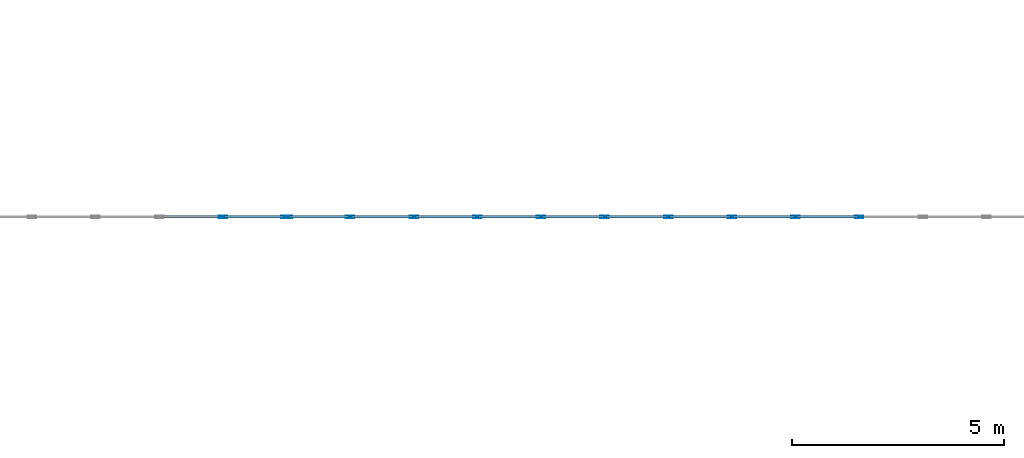
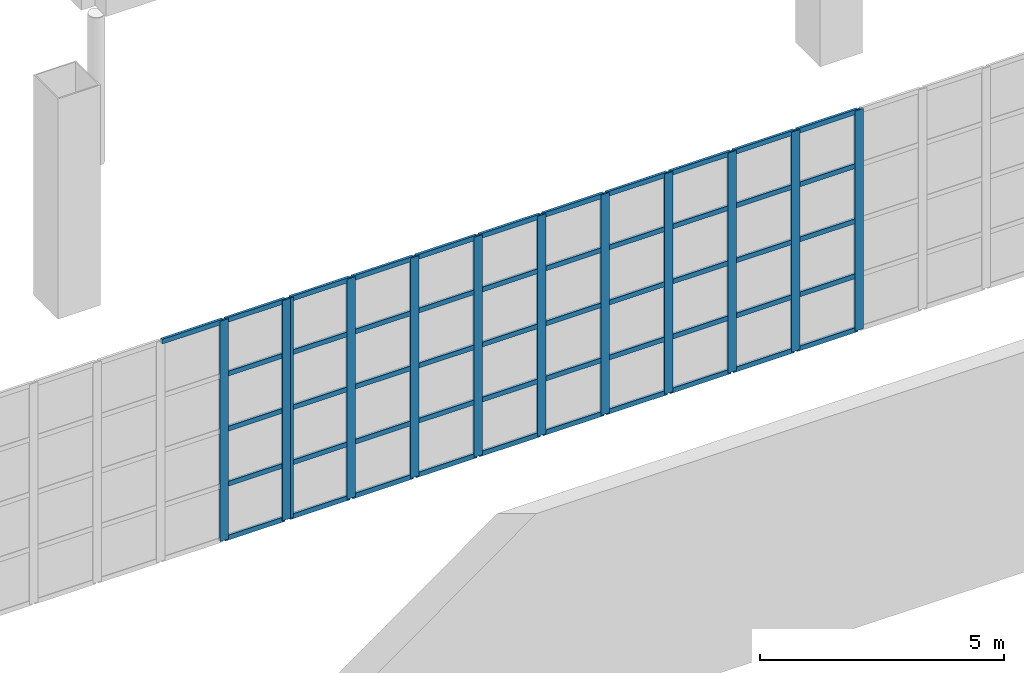
# One storey, part 43 of 185: 63 members, 2 elements without a shape of their own.
"""IFC4 building model written with IfcOpenShell, lengths in metres."""

from ifc_helpers import new_model, si_unit, direction, frame, origin, origin_2d, place, context, subcontext, project, spatial, hollow_rectangle, extrude, material, layer, layer_set, material_profile, profile_set, type_object, element, aggregate, save


model = new_model("IFC4")

# Units and contexts
model_context = context("Model", 3, precision=1e-05, world=origin(), true_north=direction((0.0, 1.0)))
body_context = subcontext(model_context, "Body", "Model", "MODEL_VIEW")
ifc_project = project(units=[si_unit("LENGTHUNIT", "METRE"), si_unit("AREAUNIT", "SQUARE_METRE"), si_unit("VOLUMEUNIT", "CUBIC_METRE"), si_unit("PLANEANGLEUNIT", "RADIAN"), si_unit("MASSUNIT", "GRAM", prefix="KILO")], contexts=[model_context])

# Site, building, storey
site_placement = place(None, origin())
site = spatial("IfcSite", under=ifc_project, at=site_placement, CompositionType="ELEMENT")
building_placement = place(site_placement, origin())
building = spatial("IfcBuilding", under=site, at=building_placement, Name="Opaline Strait Convention Centre", CompositionType="ELEMENT")
storey_placement = place(building_placement, frame((0.0, 0.0, 6.0)))
storey = spatial("IfcBuildingStorey", under=building, at=storey_placement, Name="L01", CompositionType="ELEMENT", Elevation=6.0)

# Curtain wall, members
ifc_material_1 = material(Name="Aluminium framed glazing", Category="aluminium")
ifc_layer = layer(ifc_material_1, 0.199951171875)
ifc_layer_set = layer_set([ifc_layer], Name="Aluminium framed glazing")
curtain_wall_type = type_object("IfcCurtainWallType", Name="Entrance curtain wall 1500", PredefinedType="NOTDEFINED", material=ifc_layer_set)
curtain_wall_1_placement = place(storey_placement, origin())
curtain_wall_1 = element("IfcCurtainWall", 1, at=curtain_wall_1_placement, inside=storey, type_object=curtain_wall_type, Name="Entrance curtain wall L01-R1", PredefinedType="NOTDEFINED")
ifc_material_2 = material(Name="Aluminium alloy 6063", Category="aluminium")
ifc_material_profile_1 = material_profile(ifc_material_2, hollow_rectangle(XDim=0.06005859375, YDim=0.199951171875, WallThickness=0.00390625, at=origin_2d()), Name="MULLION 60x200x4")
ifc_profile_set_1 = profile_set([ifc_material_profile_1], Name="Aluminium alloy 6063")
member_type_1 = type_object("IfcMemberType", Name="Curtain wall mullion 60 x 200", PredefinedType="MULLION", material=ifc_profile_set_1)
member_1_placement = place(storey_placement, frame((169.5, 144.0, 0.0), z_axis=(0.0, 0.0, 1.0), x_axis=(0.0, 1.0, 0.0)))
member_1 = element("IfcMember", 2, at=member_1_placement, type_object=member_type_1, Name="XCW mullion 12", PredefinedType="MULLION", context=body_context, shape_type="SweptSolid", body=[
    extrude(hollow_rectangle(XDim=0.06005859375, YDim=0.199951171875, WallThickness=0.00390625, at=origin_2d()), origin(), (0.0, 0.0, 1.0), 5.5),
])
member_2_placement = place(storey_placement, frame((170.969970703125, 144.0, 0.0), z_axis=(0.0, 0.0, 1.0), x_axis=(0.0, 1.0, 0.0)))
member_2 = element("IfcMember", 3, at=member_2_placement, type_object=member_type_1, Name="XCW mullion 13", PredefinedType="MULLION", context=body_context, shape_type="SweptSolid", body=[
    extrude(hollow_rectangle(XDim=0.06005859375, YDim=0.199951171875, WallThickness=0.00390625, at=origin_2d()), origin(), (0.0, 0.0, 1.0), 5.5),
])

curtain_wall_2_placement = place(storey_placement, origin())
curtain_wall_2 = element("IfcCurtainWall", 4, at=curtain_wall_2_placement, inside=storey, type_object=curtain_wall_type, Name="Entrance curtain wall L01-R2", PredefinedType="NOTDEFINED")
member_3_placement = place(storey_placement, frame((171.030029296875, 144.0, 0.0), z_axis=(0.0, 0.0, 1.0), x_axis=(0.0, 1.0, 0.0)))
member_3 = element("IfcMember", 5, at=member_3_placement, type_object=member_type_1, Name="XCW mullion 1", PredefinedType="MULLION", context=body_context, shape_type="SweptSolid", body=[
    extrude(hollow_rectangle(XDim=0.06005859375, YDim=0.199951171875, WallThickness=0.00390625, at=origin_2d()), origin(), (0.0, 0.0, 1.0), 5.5),
])
member_4_placement = place(storey_placement, frame((172.5, 144.0, 0.0), z_axis=(0.0, 0.0, 1.0), x_axis=(0.0, 1.0, 0.0)))
member_4 = element("IfcMember", 6, at=member_4_placement, type_object=member_type_1, Name="XCW mullion 2", PredefinedType="MULLION", context=body_context, shape_type="SweptSolid", body=[
    extrude(hollow_rectangle(XDim=0.06005859375, YDim=0.199951171875, WallThickness=0.00390625, at=origin_2d()), origin(), (0.0, 0.0, 1.0), 5.5),
])
member_5_placement = place(storey_placement, frame((174.0, 144.0, 0.0), z_axis=(0.0, 0.0, 1.0), x_axis=(0.0, 1.0, 0.0)))
member_5 = element("IfcMember", 7, at=member_5_placement, type_object=member_type_1, Name="XCW mullion 3", PredefinedType="MULLION", context=body_context, shape_type="SweptSolid", body=[
    extrude(hollow_rectangle(XDim=0.06005859375, YDim=0.199951171875, WallThickness=0.00390625, at=origin_2d()), origin(), (0.0, 0.0, 1.0), 5.5),
])
member_6_placement = place(storey_placement, frame((175.5, 144.0, 0.0), z_axis=(0.0, 0.0, 1.0), x_axis=(0.0, 1.0, 0.0)))
member_6 = element("IfcMember", 8, at=member_6_placement, type_object=member_type_1, Name="XCW mullion 4", PredefinedType="MULLION", context=body_context, shape_type="SweptSolid", body=[
    extrude(hollow_rectangle(XDim=0.06005859375, YDim=0.199951171875, WallThickness=0.00390625, at=origin_2d()), origin(), (0.0, 0.0, 1.0), 5.5),
])
member_7_placement = place(storey_placement, frame((177.0, 144.0, 0.0), z_axis=(0.0, 0.0, 1.0), x_axis=(0.0, 1.0, 0.0)))
member_7 = element("IfcMember", 9, at=member_7_placement, type_object=member_type_1, Name="XCW mullion 5", PredefinedType="MULLION", context=body_context, shape_type="SweptSolid", body=[
    extrude(hollow_rectangle(XDim=0.06005859375, YDim=0.199951171875, WallThickness=0.00390625, at=origin_2d()), origin(), (0.0, 0.0, 1.0), 5.5),
])
member_8_placement = place(storey_placement, frame((178.5, 144.0, 0.0), z_axis=(0.0, 0.0, 1.0), x_axis=(0.0, 1.0, 0.0)))
member_8 = element("IfcMember", 10, at=member_8_placement, type_object=member_type_1, Name="XCW mullion 6", PredefinedType="MULLION", context=body_context, shape_type="SweptSolid", body=[
    extrude(hollow_rectangle(XDim=0.06005859375, YDim=0.199951171875, WallThickness=0.00390625, at=origin_2d()), origin(), (0.0, 0.0, 1.0), 5.5),
])
member_9_placement = place(storey_placement, frame((180.0, 144.0, 0.0), z_axis=(0.0, 0.0, 1.0), x_axis=(0.0, 1.0, 0.0)))
member_9 = element("IfcMember", 11, at=member_9_placement, type_object=member_type_1, Name="XCW mullion 7", PredefinedType="MULLION", context=body_context, shape_type="SweptSolid", body=[
    extrude(hollow_rectangle(XDim=0.06005859375, YDim=0.199951171875, WallThickness=0.00390625, at=origin_2d()), origin(), (0.0, 0.0, 1.0), 5.5),
])
member_10_placement = place(storey_placement, frame((181.5, 144.0, 0.0), z_axis=(0.0, 0.0, 1.0), x_axis=(0.0, 1.0, 0.0)))
member_10 = element("IfcMember", 12, at=member_10_placement, type_object=member_type_1, Name="XCW mullion 8", PredefinedType="MULLION", context=body_context, shape_type="SweptSolid", body=[
    extrude(hollow_rectangle(XDim=0.06005859375, YDim=0.199951171875, WallThickness=0.00390625, at=origin_2d()), origin(), (0.0, 0.0, 1.0), 5.5),
])
member_11_placement = place(storey_placement, frame((183.0, 144.0, 0.0), z_axis=(0.0, 0.0, 1.0), x_axis=(0.0, 1.0, 0.0)))
member_11 = element("IfcMember", 13, at=member_11_placement, type_object=member_type_1, Name="XCW mullion 9", PredefinedType="MULLION", context=body_context, shape_type="SweptSolid", body=[
    extrude(hollow_rectangle(XDim=0.06005859375, YDim=0.199951171875, WallThickness=0.00390625, at=origin_2d()), origin(), (0.0, 0.0, 1.0), 5.5),
])
member_12_placement = place(storey_placement, frame((184.5, 144.0, 0.0), z_axis=(0.0, 0.0, 1.0), x_axis=(0.0, 1.0, 0.0)))
member_12 = element("IfcMember", 14, at=member_12_placement, type_object=member_type_1, Name="XCW mullion 10", PredefinedType="MULLION", context=body_context, shape_type="SweptSolid", body=[
    extrude(hollow_rectangle(XDim=0.06005859375, YDim=0.199951171875, WallThickness=0.00390625, at=origin_2d()), origin(), (0.0, 0.0, 1.0), 5.5),
])

# Member
ifc_material_profile_2 = material_profile(ifc_material_2, hollow_rectangle(XDim=0.06005859375, YDim=0.1201171875, WallThickness=0.0029296875, at=origin_2d()), Name="TRANSOM 60x120x3")
ifc_profile_set_2 = profile_set([ifc_material_profile_2], Name="Aluminium alloy 6063")
member_type_2 = type_object("IfcMemberType", Name="Curtain wall transom 60 x 120", PredefinedType="USERDEFINED", material=ifc_profile_set_2)
member_13_placement = place(storey_placement, frame((168.030029296875, 144.0, 5.469970703125), z_axis=(1.0, 0.0, 0.0), x_axis=(0.0, 1.0, 0.0)))
member_13 = element("IfcMember", 15, at=member_13_placement, type_object=member_type_2, Name="XCW transom 11.5", ObjectType="TRANSOM", PredefinedType="USERDEFINED", context=body_context, shape_type="SweptSolid", body=[
    extrude(hollow_rectangle(XDim=0.06005859375, YDim=0.1201171875, WallThickness=0.0029296875, at=origin_2d()), origin(), (0.0, 0.0, 1.0), 1.43994140625),
])

member_14_placement = place(storey_placement, frame((169.530029296875, 144.0, 0.030029296875), z_axis=(1.0, 0.0, 0.0), x_axis=(0.0, 1.0, 0.0)))
member_14 = element("IfcMember", 16, at=member_14_placement, type_object=member_type_2, Name="XCW transom 12.1", ObjectType="TRANSOM", PredefinedType="USERDEFINED", context=body_context, shape_type="SweptSolid", body=[
    extrude(hollow_rectangle(XDim=0.06005859375, YDim=0.1201171875, WallThickness=0.0029296875, at=origin_2d()), origin(), (0.0, 0.0, 1.0), 1.409912109375),
])

member_15_placement = place(storey_placement, frame((169.530029296875, 144.0, 1.375), z_axis=(1.0, 0.0, 0.0), x_axis=(0.0, 1.0, 0.0)))
member_15 = element("IfcMember", 17, at=member_15_placement, type_object=member_type_2, Name="XCW transom 12.2", ObjectType="TRANSOM", PredefinedType="USERDEFINED", context=body_context, shape_type="SweptSolid", body=[
    extrude(hollow_rectangle(XDim=0.06005859375, YDim=0.1201171875, WallThickness=0.0029296875, at=origin_2d()), origin(), (0.0, 0.0, 1.0), 1.409912109375),
])

member_16_placement = place(storey_placement, frame((169.530029296875, 144.0, 2.75), z_axis=(1.0, 0.0, 0.0), x_axis=(0.0, 1.0, 0.0)))
member_16 = element("IfcMember", 18, at=member_16_placement, type_object=member_type_2, Name="XCW transom 12.3", ObjectType="TRANSOM", PredefinedType="USERDEFINED", context=body_context, shape_type="SweptSolid", body=[
    extrude(hollow_rectangle(XDim=0.06005859375, YDim=0.1201171875, WallThickness=0.0029296875, at=origin_2d()), origin(), (0.0, 0.0, 1.0), 1.409912109375),
])

member_17_placement = place(storey_placement, frame((169.530029296875, 144.0, 4.125), z_axis=(1.0, 0.0, 0.0), x_axis=(0.0, 1.0, 0.0)))
member_17 = element("IfcMember", 19, at=member_17_placement, type_object=member_type_2, Name="XCW transom 12.4", ObjectType="TRANSOM", PredefinedType="USERDEFINED", context=body_context, shape_type="SweptSolid", body=[
    extrude(hollow_rectangle(XDim=0.06005859375, YDim=0.1201171875, WallThickness=0.0029296875, at=origin_2d()), origin(), (0.0, 0.0, 1.0), 1.409912109375),
])

member_18_placement = place(storey_placement, frame((169.530029296875, 144.0, 5.469970703125), z_axis=(1.0, 0.0, 0.0), x_axis=(0.0, 1.0, 0.0)))
member_18 = element("IfcMember", 20, at=member_18_placement, type_object=member_type_2, Name="XCW transom 12.5", ObjectType="TRANSOM", PredefinedType="USERDEFINED", context=body_context, shape_type="SweptSolid", body=[
    extrude(hollow_rectangle(XDim=0.06005859375, YDim=0.1201171875, WallThickness=0.0029296875, at=origin_2d()), origin(), (0.0, 0.0, 1.0), 1.409912109375),
])

aggregate(curtain_wall_1, [member_1, member_2, member_13, member_14, member_15, member_16, member_17, member_18])

member_19_placement = place(storey_placement, frame((171.06005859375, 144.0, 0.030029296875), z_axis=(1.0, 0.0, 0.0), x_axis=(0.0, 1.0, 0.0)))
member_19 = element("IfcMember", 21, at=member_19_placement, type_object=member_type_2, Name="XCW transom 1.1", ObjectType="TRANSOM", PredefinedType="USERDEFINED", context=body_context, shape_type="SweptSolid", body=[
    extrude(hollow_rectangle(XDim=0.06005859375, YDim=0.1201171875, WallThickness=0.0029296875, at=origin_2d()), origin(), (0.0, 0.0, 1.0), 1.409912109375),
])

member_20_placement = place(storey_placement, frame((171.06005859375, 144.0, 1.375), z_axis=(1.0, 0.0, 0.0), x_axis=(0.0, 1.0, 0.0)))
member_20 = element("IfcMember", 22, at=member_20_placement, type_object=member_type_2, Name="XCW transom 1.2", ObjectType="TRANSOM", PredefinedType="USERDEFINED", context=body_context, shape_type="SweptSolid", body=[
    extrude(hollow_rectangle(XDim=0.06005859375, YDim=0.1201171875, WallThickness=0.0029296875, at=origin_2d()), origin(), (0.0, 0.0, 1.0), 1.409912109375),
])

member_21_placement = place(storey_placement, frame((171.06005859375, 144.0, 2.75), z_axis=(1.0, 0.0, 0.0), x_axis=(0.0, 1.0, 0.0)))
member_21 = element("IfcMember", 23, at=member_21_placement, type_object=member_type_2, Name="XCW transom 1.3", ObjectType="TRANSOM", PredefinedType="USERDEFINED", context=body_context, shape_type="SweptSolid", body=[
    extrude(hollow_rectangle(XDim=0.06005859375, YDim=0.1201171875, WallThickness=0.0029296875, at=origin_2d()), origin(), (0.0, 0.0, 1.0), 1.409912109375),
])

member_22_placement = place(storey_placement, frame((171.06005859375, 144.0, 4.125), z_axis=(1.0, 0.0, 0.0), x_axis=(0.0, 1.0, 0.0)))
member_22 = element("IfcMember", 24, at=member_22_placement, type_object=member_type_2, Name="XCW transom 1.4", ObjectType="TRANSOM", PredefinedType="USERDEFINED", context=body_context, shape_type="SweptSolid", body=[
    extrude(hollow_rectangle(XDim=0.06005859375, YDim=0.1201171875, WallThickness=0.0029296875, at=origin_2d()), origin(), (0.0, 0.0, 1.0), 1.409912109375),
])

member_23_placement = place(storey_placement, frame((171.06005859375, 144.0, 5.469970703125), z_axis=(1.0, 0.0, 0.0), x_axis=(0.0, 1.0, 0.0)))
member_23 = element("IfcMember", 25, at=member_23_placement, type_object=member_type_2, Name="XCW transom 1.5", ObjectType="TRANSOM", PredefinedType="USERDEFINED", context=body_context, shape_type="SweptSolid", body=[
    extrude(hollow_rectangle(XDim=0.06005859375, YDim=0.1201171875, WallThickness=0.0029296875, at=origin_2d()), origin(), (0.0, 0.0, 1.0), 1.409912109375),
])

member_24_placement = place(storey_placement, frame((172.530029296875, 144.0, 0.030029296875), z_axis=(1.0, 0.0, 0.0), x_axis=(0.0, 1.0, 0.0)))
member_24 = element("IfcMember", 26, at=member_24_placement, type_object=member_type_2, Name="XCW transom 2.1", ObjectType="TRANSOM", PredefinedType="USERDEFINED", context=body_context, shape_type="SweptSolid", body=[
    extrude(hollow_rectangle(XDim=0.06005859375, YDim=0.1201171875, WallThickness=0.0029296875, at=origin_2d()), origin(), (0.0, 0.0, 1.0), 1.43994140625),
])

member_25_placement = place(storey_placement, frame((172.530029296875, 144.0, 1.375), z_axis=(1.0, 0.0, 0.0), x_axis=(0.0, 1.0, 0.0)))
member_25 = element("IfcMember", 27, at=member_25_placement, type_object=member_type_2, Name="XCW transom 2.2", ObjectType="TRANSOM", PredefinedType="USERDEFINED", context=body_context, shape_type="SweptSolid", body=[
    extrude(hollow_rectangle(XDim=0.06005859375, YDim=0.1201171875, WallThickness=0.0029296875, at=origin_2d()), origin(), (0.0, 0.0, 1.0), 1.43994140625),
])

member_26_placement = place(storey_placement, frame((172.530029296875, 144.0, 2.75), z_axis=(1.0, 0.0, 0.0), x_axis=(0.0, 1.0, 0.0)))
member_26 = element("IfcMember", 28, at=member_26_placement, type_object=member_type_2, Name="XCW transom 2.3", ObjectType="TRANSOM", PredefinedType="USERDEFINED", context=body_context, shape_type="SweptSolid", body=[
    extrude(hollow_rectangle(XDim=0.06005859375, YDim=0.1201171875, WallThickness=0.0029296875, at=origin_2d()), origin(), (0.0, 0.0, 1.0), 1.43994140625),
])

member_27_placement = place(storey_placement, frame((172.530029296875, 144.0, 4.125), z_axis=(1.0, 0.0, 0.0), x_axis=(0.0, 1.0, 0.0)))
member_27 = element("IfcMember", 29, at=member_27_placement, type_object=member_type_2, Name="XCW transom 2.4", ObjectType="TRANSOM", PredefinedType="USERDEFINED", context=body_context, shape_type="SweptSolid", body=[
    extrude(hollow_rectangle(XDim=0.06005859375, YDim=0.1201171875, WallThickness=0.0029296875, at=origin_2d()), origin(), (0.0, 0.0, 1.0), 1.43994140625),
])

member_28_placement = place(storey_placement, frame((172.530029296875, 144.0, 5.469970703125), z_axis=(1.0, 0.0, 0.0), x_axis=(0.0, 1.0, 0.0)))
member_28 = element("IfcMember", 30, at=member_28_placement, type_object=member_type_2, Name="XCW transom 2.5", ObjectType="TRANSOM", PredefinedType="USERDEFINED", context=body_context, shape_type="SweptSolid", body=[
    extrude(hollow_rectangle(XDim=0.06005859375, YDim=0.1201171875, WallThickness=0.0029296875, at=origin_2d()), origin(), (0.0, 0.0, 1.0), 1.43994140625),
])

member_29_placement = place(storey_placement, frame((174.030029296875, 144.0, 0.030029296875), z_axis=(1.0, 0.0, 0.0), x_axis=(0.0, 1.0, 0.0)))
member_29 = element("IfcMember", 31, at=member_29_placement, type_object=member_type_2, Name="XCW transom 3.1", ObjectType="TRANSOM", PredefinedType="USERDEFINED", context=body_context, shape_type="SweptSolid", body=[
    extrude(hollow_rectangle(XDim=0.06005859375, YDim=0.1201171875, WallThickness=0.0029296875, at=origin_2d()), origin(), (0.0, 0.0, 1.0), 1.43994140625),
])

member_30_placement = place(storey_placement, frame((174.030029296875, 144.0, 1.375), z_axis=(1.0, 0.0, 0.0), x_axis=(0.0, 1.0, 0.0)))
member_30 = element("IfcMember", 32, at=member_30_placement, type_object=member_type_2, Name="XCW transom 3.2", ObjectType="TRANSOM", PredefinedType="USERDEFINED", context=body_context, shape_type="SweptSolid", body=[
    extrude(hollow_rectangle(XDim=0.06005859375, YDim=0.1201171875, WallThickness=0.0029296875, at=origin_2d()), origin(), (0.0, 0.0, 1.0), 1.43994140625),
])

member_31_placement = place(storey_placement, frame((174.030029296875, 144.0, 2.75), z_axis=(1.0, 0.0, 0.0), x_axis=(0.0, 1.0, 0.0)))
member_31 = element("IfcMember", 33, at=member_31_placement, type_object=member_type_2, Name="XCW transom 3.3", ObjectType="TRANSOM", PredefinedType="USERDEFINED", context=body_context, shape_type="SweptSolid", body=[
    extrude(hollow_rectangle(XDim=0.06005859375, YDim=0.1201171875, WallThickness=0.0029296875, at=origin_2d()), origin(), (0.0, 0.0, 1.0), 1.43994140625),
])

member_32_placement = place(storey_placement, frame((174.030029296875, 144.0, 4.125), z_axis=(1.0, 0.0, 0.0), x_axis=(0.0, 1.0, 0.0)))
member_32 = element("IfcMember", 34, at=member_32_placement, type_object=member_type_2, Name="XCW transom 3.4", ObjectType="TRANSOM", PredefinedType="USERDEFINED", context=body_context, shape_type="SweptSolid", body=[
    extrude(hollow_rectangle(XDim=0.06005859375, YDim=0.1201171875, WallThickness=0.0029296875, at=origin_2d()), origin(), (0.0, 0.0, 1.0), 1.43994140625),
])

member_33_placement = place(storey_placement, frame((174.030029296875, 144.0, 5.469970703125), z_axis=(1.0, 0.0, 0.0), x_axis=(0.0, 1.0, 0.0)))
member_33 = element("IfcMember", 35, at=member_33_placement, type_object=member_type_2, Name="XCW transom 3.5", ObjectType="TRANSOM", PredefinedType="USERDEFINED", context=body_context, shape_type="SweptSolid", body=[
    extrude(hollow_rectangle(XDim=0.06005859375, YDim=0.1201171875, WallThickness=0.0029296875, at=origin_2d()), origin(), (0.0, 0.0, 1.0), 1.43994140625),
])

member_34_placement = place(storey_placement, frame((175.530029296875, 144.0, 0.030029296875), z_axis=(1.0, 0.0, 0.0), x_axis=(0.0, 1.0, 0.0)))
member_34 = element("IfcMember", 36, at=member_34_placement, type_object=member_type_2, Name="XCW transom 4.1", ObjectType="TRANSOM", PredefinedType="USERDEFINED", context=body_context, shape_type="SweptSolid", body=[
    extrude(hollow_rectangle(XDim=0.06005859375, YDim=0.1201171875, WallThickness=0.0029296875, at=origin_2d()), origin(), (0.0, 0.0, 1.0), 1.43994140625),
])

member_35_placement = place(storey_placement, frame((175.530029296875, 144.0, 1.375), z_axis=(1.0, 0.0, 0.0), x_axis=(0.0, 1.0, 0.0)))
member_35 = element("IfcMember", 37, at=member_35_placement, type_object=member_type_2, Name="XCW transom 4.2", ObjectType="TRANSOM", PredefinedType="USERDEFINED", context=body_context, shape_type="SweptSolid", body=[
    extrude(hollow_rectangle(XDim=0.06005859375, YDim=0.1201171875, WallThickness=0.0029296875, at=origin_2d()), origin(), (0.0, 0.0, 1.0), 1.43994140625),
])

member_36_placement = place(storey_placement, frame((175.530029296875, 144.0, 2.75), z_axis=(1.0, 0.0, 0.0), x_axis=(0.0, 1.0, 0.0)))
member_36 = element("IfcMember", 38, at=member_36_placement, type_object=member_type_2, Name="XCW transom 4.3", ObjectType="TRANSOM", PredefinedType="USERDEFINED", context=body_context, shape_type="SweptSolid", body=[
    extrude(hollow_rectangle(XDim=0.06005859375, YDim=0.1201171875, WallThickness=0.0029296875, at=origin_2d()), origin(), (0.0, 0.0, 1.0), 1.43994140625),
])

member_37_placement = place(storey_placement, frame((175.530029296875, 144.0, 4.125), z_axis=(1.0, 0.0, 0.0), x_axis=(0.0, 1.0, 0.0)))
member_37 = element("IfcMember", 39, at=member_37_placement, type_object=member_type_2, Name="XCW transom 4.4", ObjectType="TRANSOM", PredefinedType="USERDEFINED", context=body_context, shape_type="SweptSolid", body=[
    extrude(hollow_rectangle(XDim=0.06005859375, YDim=0.1201171875, WallThickness=0.0029296875, at=origin_2d()), origin(), (0.0, 0.0, 1.0), 1.43994140625),
])

member_38_placement = place(storey_placement, frame((175.530029296875, 144.0, 5.469970703125), z_axis=(1.0, 0.0, 0.0), x_axis=(0.0, 1.0, 0.0)))
member_38 = element("IfcMember", 40, at=member_38_placement, type_object=member_type_2, Name="XCW transom 4.5", ObjectType="TRANSOM", PredefinedType="USERDEFINED", context=body_context, shape_type="SweptSolid", body=[
    extrude(hollow_rectangle(XDim=0.06005859375, YDim=0.1201171875, WallThickness=0.0029296875, at=origin_2d()), origin(), (0.0, 0.0, 1.0), 1.43994140625),
])

member_39_placement = place(storey_placement, frame((177.030029296875, 144.0, 0.030029296875), z_axis=(1.0, 0.0, 0.0), x_axis=(0.0, 1.0, 0.0)))
member_39 = element("IfcMember", 41, at=member_39_placement, type_object=member_type_2, Name="XCW transom 5.1", ObjectType="TRANSOM", PredefinedType="USERDEFINED", context=body_context, shape_type="SweptSolid", body=[
    extrude(hollow_rectangle(XDim=0.06005859375, YDim=0.1201171875, WallThickness=0.0029296875, at=origin_2d()), origin(), (0.0, 0.0, 1.0), 1.43994140625),
])

member_40_placement = place(storey_placement, frame((177.030029296875, 144.0, 1.375), z_axis=(1.0, 0.0, 0.0), x_axis=(0.0, 1.0, 0.0)))
member_40 = element("IfcMember", 42, at=member_40_placement, type_object=member_type_2, Name="XCW transom 5.2", ObjectType="TRANSOM", PredefinedType="USERDEFINED", context=body_context, shape_type="SweptSolid", body=[
    extrude(hollow_rectangle(XDim=0.06005859375, YDim=0.1201171875, WallThickness=0.0029296875, at=origin_2d()), origin(), (0.0, 0.0, 1.0), 1.43994140625),
])

member_41_placement = place(storey_placement, frame((177.030029296875, 144.0, 2.75), z_axis=(1.0, 0.0, 0.0), x_axis=(0.0, 1.0, 0.0)))
member_41 = element("IfcMember", 43, at=member_41_placement, type_object=member_type_2, Name="XCW transom 5.3", ObjectType="TRANSOM", PredefinedType="USERDEFINED", context=body_context, shape_type="SweptSolid", body=[
    extrude(hollow_rectangle(XDim=0.06005859375, YDim=0.1201171875, WallThickness=0.0029296875, at=origin_2d()), origin(), (0.0, 0.0, 1.0), 1.43994140625),
])

member_42_placement = place(storey_placement, frame((177.030029296875, 144.0, 4.125), z_axis=(1.0, 0.0, 0.0), x_axis=(0.0, 1.0, 0.0)))
member_42 = element("IfcMember", 44, at=member_42_placement, type_object=member_type_2, Name="XCW transom 5.4", ObjectType="TRANSOM", PredefinedType="USERDEFINED", context=body_context, shape_type="SweptSolid", body=[
    extrude(hollow_rectangle(XDim=0.06005859375, YDim=0.1201171875, WallThickness=0.0029296875, at=origin_2d()), origin(), (0.0, 0.0, 1.0), 1.43994140625),
])

member_43_placement = place(storey_placement, frame((177.030029296875, 144.0, 5.469970703125), z_axis=(1.0, 0.0, 0.0), x_axis=(0.0, 1.0, 0.0)))
member_43 = element("IfcMember", 45, at=member_43_placement, type_object=member_type_2, Name="XCW transom 5.5", ObjectType="TRANSOM", PredefinedType="USERDEFINED", context=body_context, shape_type="SweptSolid", body=[
    extrude(hollow_rectangle(XDim=0.06005859375, YDim=0.1201171875, WallThickness=0.0029296875, at=origin_2d()), origin(), (0.0, 0.0, 1.0), 1.43994140625),
])

member_44_placement = place(storey_placement, frame((178.530029296875, 144.0, 0.030029296875), z_axis=(1.0, 0.0, 0.0), x_axis=(0.0, 1.0, 0.0)))
member_44 = element("IfcMember", 46, at=member_44_placement, type_object=member_type_2, Name="XCW transom 6.1", ObjectType="TRANSOM", PredefinedType="USERDEFINED", context=body_context, shape_type="SweptSolid", body=[
    extrude(hollow_rectangle(XDim=0.06005859375, YDim=0.1201171875, WallThickness=0.0029296875, at=origin_2d()), origin(), (0.0, 0.0, 1.0), 1.43994140625),
])

member_45_placement = place(storey_placement, frame((178.530029296875, 144.0, 1.375), z_axis=(1.0, 0.0, 0.0), x_axis=(0.0, 1.0, 0.0)))
member_45 = element("IfcMember", 47, at=member_45_placement, type_object=member_type_2, Name="XCW transom 6.2", ObjectType="TRANSOM", PredefinedType="USERDEFINED", context=body_context, shape_type="SweptSolid", body=[
    extrude(hollow_rectangle(XDim=0.06005859375, YDim=0.1201171875, WallThickness=0.0029296875, at=origin_2d()), origin(), (0.0, 0.0, 1.0), 1.43994140625),
])

member_46_placement = place(storey_placement, frame((178.530029296875, 144.0, 2.75), z_axis=(1.0, 0.0, 0.0), x_axis=(0.0, 1.0, 0.0)))
member_46 = element("IfcMember", 48, at=member_46_placement, type_object=member_type_2, Name="XCW transom 6.3", ObjectType="TRANSOM", PredefinedType="USERDEFINED", context=body_context, shape_type="SweptSolid", body=[
    extrude(hollow_rectangle(XDim=0.06005859375, YDim=0.1201171875, WallThickness=0.0029296875, at=origin_2d()), origin(), (0.0, 0.0, 1.0), 1.43994140625),
])

member_47_placement = place(storey_placement, frame((178.530029296875, 144.0, 4.125), z_axis=(1.0, 0.0, 0.0), x_axis=(0.0, 1.0, 0.0)))
member_47 = element("IfcMember", 49, at=member_47_placement, type_object=member_type_2, Name="XCW transom 6.4", ObjectType="TRANSOM", PredefinedType="USERDEFINED", context=body_context, shape_type="SweptSolid", body=[
    extrude(hollow_rectangle(XDim=0.06005859375, YDim=0.1201171875, WallThickness=0.0029296875, at=origin_2d()), origin(), (0.0, 0.0, 1.0), 1.43994140625),
])

member_48_placement = place(storey_placement, frame((178.530029296875, 144.0, 5.469970703125), z_axis=(1.0, 0.0, 0.0), x_axis=(0.0, 1.0, 0.0)))
member_48 = element("IfcMember", 50, at=member_48_placement, type_object=member_type_2, Name="XCW transom 6.5", ObjectType="TRANSOM", PredefinedType="USERDEFINED", context=body_context, shape_type="SweptSolid", body=[
    extrude(hollow_rectangle(XDim=0.06005859375, YDim=0.1201171875, WallThickness=0.0029296875, at=origin_2d()), origin(), (0.0, 0.0, 1.0), 1.43994140625),
])

member_49_placement = place(storey_placement, frame((180.030029296875, 144.0, 0.030029296875), z_axis=(1.0, 0.0, 0.0), x_axis=(0.0, 1.0, 0.0)))
member_49 = element("IfcMember", 51, at=member_49_placement, type_object=member_type_2, Name="XCW transom 7.1", ObjectType="TRANSOM", PredefinedType="USERDEFINED", context=body_context, shape_type="SweptSolid", body=[
    extrude(hollow_rectangle(XDim=0.06005859375, YDim=0.1201171875, WallThickness=0.0029296875, at=origin_2d()), origin(), (0.0, 0.0, 1.0), 1.43994140625),
])

member_50_placement = place(storey_placement, frame((180.030029296875, 144.0, 1.375), z_axis=(1.0, 0.0, 0.0), x_axis=(0.0, 1.0, 0.0)))
member_50 = element("IfcMember", 52, at=member_50_placement, type_object=member_type_2, Name="XCW transom 7.2", ObjectType="TRANSOM", PredefinedType="USERDEFINED", context=body_context, shape_type="SweptSolid", body=[
    extrude(hollow_rectangle(XDim=0.06005859375, YDim=0.1201171875, WallThickness=0.0029296875, at=origin_2d()), origin(), (0.0, 0.0, 1.0), 1.43994140625),
])

member_51_placement = place(storey_placement, frame((180.030029296875, 144.0, 2.75), z_axis=(1.0, 0.0, 0.0), x_axis=(0.0, 1.0, 0.0)))
member_51 = element("IfcMember", 53, at=member_51_placement, type_object=member_type_2, Name="XCW transom 7.3", ObjectType="TRANSOM", PredefinedType="USERDEFINED", context=body_context, shape_type="SweptSolid", body=[
    extrude(hollow_rectangle(XDim=0.06005859375, YDim=0.1201171875, WallThickness=0.0029296875, at=origin_2d()), origin(), (0.0, 0.0, 1.0), 1.43994140625),
])

member_52_placement = place(storey_placement, frame((180.030029296875, 144.0, 4.125), z_axis=(1.0, 0.0, 0.0), x_axis=(0.0, 1.0, 0.0)))
member_52 = element("IfcMember", 54, at=member_52_placement, type_object=member_type_2, Name="XCW transom 7.4", ObjectType="TRANSOM", PredefinedType="USERDEFINED", context=body_context, shape_type="SweptSolid", body=[
    extrude(hollow_rectangle(XDim=0.06005859375, YDim=0.1201171875, WallThickness=0.0029296875, at=origin_2d()), origin(), (0.0, 0.0, 1.0), 1.43994140625),
])

member_53_placement = place(storey_placement, frame((180.030029296875, 144.0, 5.469970703125), z_axis=(1.0, 0.0, 0.0), x_axis=(0.0, 1.0, 0.0)))
member_53 = element("IfcMember", 55, at=member_53_placement, type_object=member_type_2, Name="XCW transom 7.5", ObjectType="TRANSOM", PredefinedType="USERDEFINED", context=body_context, shape_type="SweptSolid", body=[
    extrude(hollow_rectangle(XDim=0.06005859375, YDim=0.1201171875, WallThickness=0.0029296875, at=origin_2d()), origin(), (0.0, 0.0, 1.0), 1.43994140625),
])

member_54_placement = place(storey_placement, frame((181.530029296875, 144.0, 0.030029296875), z_axis=(1.0, 0.0, 0.0), x_axis=(0.0, 1.0, 0.0)))
member_54 = element("IfcMember", 56, at=member_54_placement, type_object=member_type_2, Name="XCW transom 8.1", ObjectType="TRANSOM", PredefinedType="USERDEFINED", context=body_context, shape_type="SweptSolid", body=[
    extrude(hollow_rectangle(XDim=0.06005859375, YDim=0.1201171875, WallThickness=0.0029296875, at=origin_2d()), origin(), (0.0, 0.0, 1.0), 1.43994140625),
])

member_55_placement = place(storey_placement, frame((181.530029296875, 144.0, 1.375), z_axis=(1.0, 0.0, 0.0), x_axis=(0.0, 1.0, 0.0)))
member_55 = element("IfcMember", 57, at=member_55_placement, type_object=member_type_2, Name="XCW transom 8.2", ObjectType="TRANSOM", PredefinedType="USERDEFINED", context=body_context, shape_type="SweptSolid", body=[
    extrude(hollow_rectangle(XDim=0.06005859375, YDim=0.1201171875, WallThickness=0.0029296875, at=origin_2d()), origin(), (0.0, 0.0, 1.0), 1.43994140625),
])

member_56_placement = place(storey_placement, frame((181.530029296875, 144.0, 2.75), z_axis=(1.0, 0.0, 0.0), x_axis=(0.0, 1.0, 0.0)))
member_56 = element("IfcMember", 58, at=member_56_placement, type_object=member_type_2, Name="XCW transom 8.3", ObjectType="TRANSOM", PredefinedType="USERDEFINED", context=body_context, shape_type="SweptSolid", body=[
    extrude(hollow_rectangle(XDim=0.06005859375, YDim=0.1201171875, WallThickness=0.0029296875, at=origin_2d()), origin(), (0.0, 0.0, 1.0), 1.43994140625),
])

member_57_placement = place(storey_placement, frame((181.530029296875, 144.0, 4.125), z_axis=(1.0, 0.0, 0.0), x_axis=(0.0, 1.0, 0.0)))
member_57 = element("IfcMember", 59, at=member_57_placement, type_object=member_type_2, Name="XCW transom 8.4", ObjectType="TRANSOM", PredefinedType="USERDEFINED", context=body_context, shape_type="SweptSolid", body=[
    extrude(hollow_rectangle(XDim=0.06005859375, YDim=0.1201171875, WallThickness=0.0029296875, at=origin_2d()), origin(), (0.0, 0.0, 1.0), 1.43994140625),
])

member_58_placement = place(storey_placement, frame((181.530029296875, 144.0, 5.469970703125), z_axis=(1.0, 0.0, 0.0), x_axis=(0.0, 1.0, 0.0)))
member_58 = element("IfcMember", 60, at=member_58_placement, type_object=member_type_2, Name="XCW transom 8.5", ObjectType="TRANSOM", PredefinedType="USERDEFINED", context=body_context, shape_type="SweptSolid", body=[
    extrude(hollow_rectangle(XDim=0.06005859375, YDim=0.1201171875, WallThickness=0.0029296875, at=origin_2d()), origin(), (0.0, 0.0, 1.0), 1.43994140625),
])

member_59_placement = place(storey_placement, frame((183.030029296875, 144.0, 0.030029296875), z_axis=(1.0, 0.0, 0.0), x_axis=(0.0, 1.0, 0.0)))
member_59 = element("IfcMember", 61, at=member_59_placement, type_object=member_type_2, Name="XCW transom 9.1", ObjectType="TRANSOM", PredefinedType="USERDEFINED", context=body_context, shape_type="SweptSolid", body=[
    extrude(hollow_rectangle(XDim=0.06005859375, YDim=0.1201171875, WallThickness=0.0029296875, at=origin_2d()), origin(), (0.0, 0.0, 1.0), 1.43994140625),
])

member_60_placement = place(storey_placement, frame((183.030029296875, 144.0, 1.375), z_axis=(1.0, 0.0, 0.0), x_axis=(0.0, 1.0, 0.0)))
member_60 = element("IfcMember", 62, at=member_60_placement, type_object=member_type_2, Name="XCW transom 9.2", ObjectType="TRANSOM", PredefinedType="USERDEFINED", context=body_context, shape_type="SweptSolid", body=[
    extrude(hollow_rectangle(XDim=0.06005859375, YDim=0.1201171875, WallThickness=0.0029296875, at=origin_2d()), origin(), (0.0, 0.0, 1.0), 1.43994140625),
])

member_61_placement = place(storey_placement, frame((183.030029296875, 144.0, 2.75), z_axis=(1.0, 0.0, 0.0), x_axis=(0.0, 1.0, 0.0)))
member_61 = element("IfcMember", 63, at=member_61_placement, type_object=member_type_2, Name="XCW transom 9.3", ObjectType="TRANSOM", PredefinedType="USERDEFINED", context=body_context, shape_type="SweptSolid", body=[
    extrude(hollow_rectangle(XDim=0.06005859375, YDim=0.1201171875, WallThickness=0.0029296875, at=origin_2d()), origin(), (0.0, 0.0, 1.0), 1.43994140625),
])

member_62_placement = place(storey_placement, frame((183.030029296875, 144.0, 4.125), z_axis=(1.0, 0.0, 0.0), x_axis=(0.0, 1.0, 0.0)))
member_62 = element("IfcMember", 64, at=member_62_placement, type_object=member_type_2, Name="XCW transom 9.4", ObjectType="TRANSOM", PredefinedType="USERDEFINED", context=body_context, shape_type="SweptSolid", body=[
    extrude(hollow_rectangle(XDim=0.06005859375, YDim=0.1201171875, WallThickness=0.0029296875, at=origin_2d()), origin(), (0.0, 0.0, 1.0), 1.43994140625),
])

member_63_placement = place(storey_placement, frame((183.030029296875, 144.0, 5.469970703125), z_axis=(1.0, 0.0, 0.0), x_axis=(0.0, 1.0, 0.0)))
member_63 = element("IfcMember", 65, at=member_63_placement, type_object=member_type_2, Name="XCW transom 9.5", ObjectType="TRANSOM", PredefinedType="USERDEFINED", context=body_context, shape_type="SweptSolid", body=[
    extrude(hollow_rectangle(XDim=0.06005859375, YDim=0.1201171875, WallThickness=0.0029296875, at=origin_2d()), origin(), (0.0, 0.0, 1.0), 1.43994140625),
])

aggregate(curtain_wall_2, [member_3, member_4, member_5, member_6, member_7, member_8, member_9, member_10, member_11, member_12, member_19, member_20, member_21, member_22, member_23, member_24, member_25, member_26, member_27, member_28, member_29, member_30, member_31, member_32, member_33, member_34, member_35, member_36, member_37, member_38, member_39, member_40, member_41, member_42, member_43, member_44, member_45, member_46, member_47, member_48, member_49, member_50, member_51, member_52, member_53, member_54, member_55, member_56, member_57, member_58, member_59, member_60, member_61, member_62, member_63])

save(model, "model.ifc")
